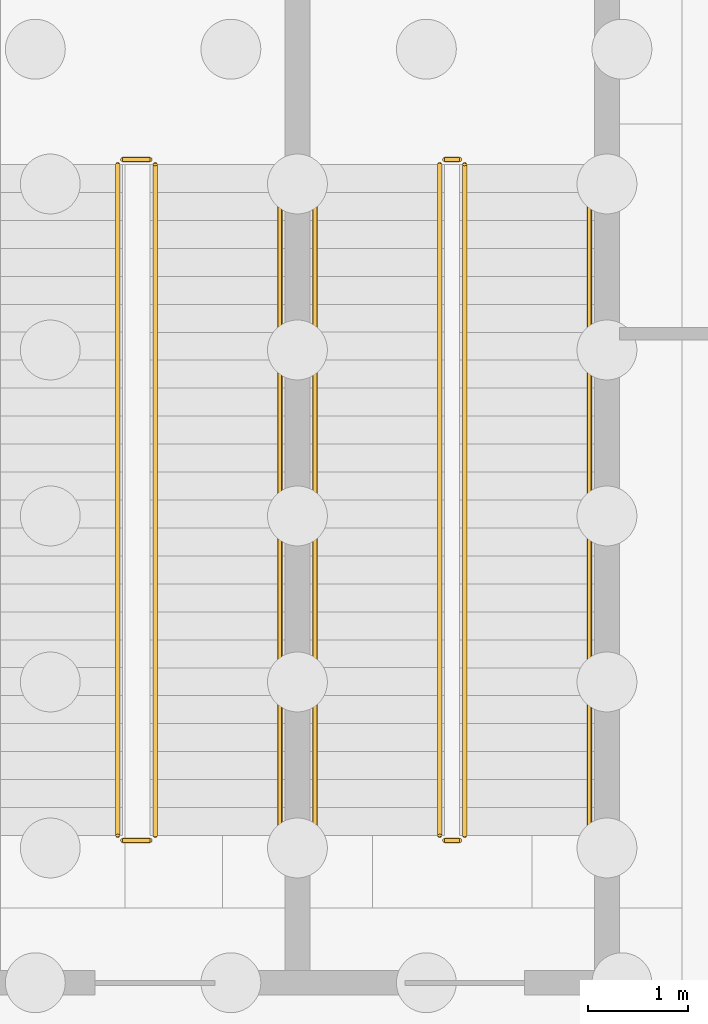
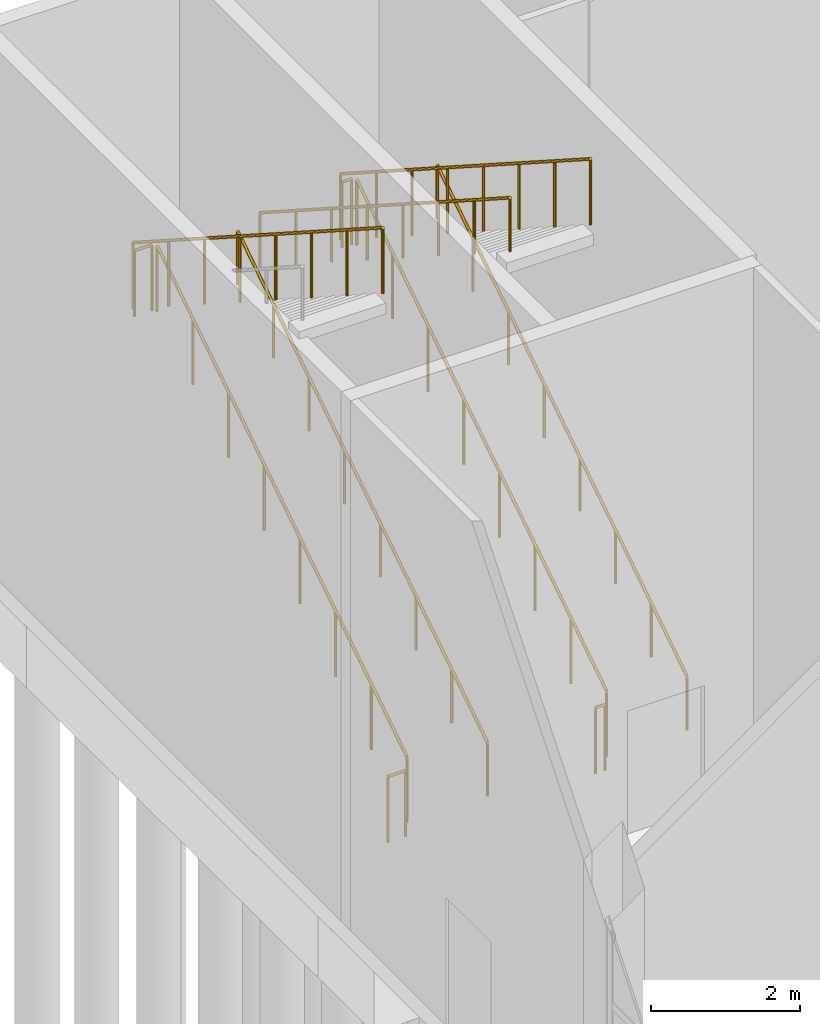
# One storey, part 65 of 72: 11 railings.
"""IFC4 building model written with IfcOpenShell, lengths in metres."""

from ifc_helpers import new_model, si_unit, direction, frame, origin, origin_2d, place, context, subcontext, project, spatial, circle, extrude, material, type_object, element, save


model = new_model("IFC4")

# Units and contexts
model_context = context("Model", 3, precision=1e-05, world=origin(), true_north=direction((0.0, 1.0)))
body_context = subcontext(model_context, "Body", "Model", "MODEL_VIEW")
ifc_project = project(units=[si_unit("LENGTHUNIT", "METRE"), si_unit("AREAUNIT", "SQUARE_METRE"), si_unit("VOLUMEUNIT", "CUBIC_METRE"), si_unit("PLANEANGLEUNIT", "RADIAN"), si_unit("MASSUNIT", "GRAM", prefix="KILO")], contexts=[model_context])

# Site, building, storey
site_placement = place(None, origin())
site = spatial("IfcSite", under=ifc_project, at=site_placement, CompositionType="ELEMENT")
building_placement = place(site_placement, origin())
building = spatial("IfcBuilding", under=site, at=building_placement, Name="Candeia Pilgrim Tower and Theatre", CompositionType="ELEMENT")
storey_placement = place(building_placement, origin())
storey = spatial("IfcBuildingStorey", under=building, at=storey_placement, Name="L00", CompositionType="ELEMENT", Elevation=0.0)

# Railings
ifc_material = material(Name="Steel S355", Category="steel")
railing_type_1 = type_object("IfcRailingType", Name="Guard 1100 steel balustrade", PredefinedType="GUARDRAIL", material=ifc_material)
railing_1_placement = place(storey_placement, frame((177.800048828125, 107.77490234375, 0.179931640625)))
element("IfcRailing", 1, at=railing_1_placement, inside=storey, type_object=railing_type_1, Name="L00 TS1 stair guard 1", PredefinedType="GUARDRAIL", context=body_context, shape_type="SweptSolid", body=[
    extrude(circle(Radius=0.02392578125, at=origin_2d()), frame((0.0, 0.0, 1.076171875), z_axis=(0.0, 0.841182446993, 0.540751413193), x_axis=(-1.0, 0.0, 0.0)), (0.0, 0.0, 1.0), 7.989013671875),
    extrude(circle(Radius=0.02099609375, at=origin_2d()), origin(), (0.0, 0.0, 1.0), 1.052001953125),
    extrude(circle(Radius=0.02099609375, at=origin_2d()), frame((0.0, 0.9599609375, 0.6171875)), (0.0, 0.0, 1.0), 1.052001953125),
    extrude(circle(Radius=0.02099609375, at=origin_2d()), frame((0.0, 1.920166015625, 1.234375)), (0.0, 0.0, 1.0), 1.052001953125),
    extrude(circle(Radius=0.02099609375, at=origin_2d()), frame((0.0, 2.880126953125, 1.8515625)), (0.0, 0.0, 1.0), 1.052001953125),
    extrude(circle(Radius=0.02099609375, at=origin_2d()), frame((0.0, 3.840087890625, 2.468505859375)), (0.0, 0.0, 1.0), 1.052001953125),
    extrude(circle(Radius=0.02099609375, at=origin_2d()), frame((0.0, 4.800048828125, 3.085693359375)), (0.0, 0.0, 1.0), 1.052001953125),
    extrude(circle(Radius=0.02099609375, at=origin_2d()), frame((0.0, 5.76025390625, 3.702880859375)), (0.0, 0.0, 1.0), 1.052001953125),
    extrude(circle(Radius=0.02099609375, at=origin_2d()), frame((0.0, 6.72021484375, 4.320068359375)), (0.0, 0.0, 1.0), 1.052001953125),
])
railing_2_placement = place(storey_placement, frame((177.75, 114.544921875, 4.5)))
element("IfcRailing", 2, at=railing_2_placement, inside=storey, type_object=railing_type_1, Name="L00 TS1 stair guard 2", PredefinedType="GUARDRAIL", context=body_context, shape_type="SweptSolid", body=[
    extrude(circle(Radius=0.02392578125, at=origin_2d()), frame((0.0, 0.0, 1.076171875), z_axis=(-1.0, 0.0, 0.0), x_axis=(0.0, -1.0, 0.0)), (0.0, 0.0, 1.0), 0.27490234375),
    extrude(circle(Radius=0.02099609375, at=origin_2d()), origin(), (0.0, 0.0, 1.0), 1.052001953125),
    extrude(circle(Radius=0.02099609375, at=origin_2d()), frame((-0.27490234375, 0.0, 0.0)), (0.0, 0.0, 1.0), 1.052001953125),
])
railing_3_placement = place(storey_placement, frame((177.425048828125, 114.4951171875, 4.679931640625)))
element("IfcRailing", 3, at=railing_3_placement, inside=storey, type_object=railing_type_1, Name="L00 TS1 stair guard 3", PredefinedType="GUARDRAIL", context=body_context, shape_type="SweptSolid", body=[
    extrude(circle(Radius=0.02392578125, at=origin_2d()), frame((0.0, 0.0, 1.076171875), z_axis=(0.0, -0.841182446993, 0.540751413193), x_axis=(1.0, 0.0, 0.0)), (0.0, 0.0, 1.0), 7.989013671875),
    extrude(circle(Radius=0.02099609375, at=origin_2d()), origin(), (0.0, 0.0, 1.0), 1.052001953125),
    extrude(circle(Radius=0.02099609375, at=origin_2d()), frame((0.0, -0.9599609375, 0.6171875)), (0.0, 0.0, 1.0), 1.052001953125),
    extrude(circle(Radius=0.02099609375, at=origin_2d()), frame((0.0, -1.920166015625, 1.234375)), (0.0, 0.0, 1.0), 1.052001953125),
    extrude(circle(Radius=0.02099609375, at=origin_2d()), frame((0.0, -2.880126953125, 1.8515625)), (0.0, 0.0, 1.0), 1.052001953125),
    extrude(circle(Radius=0.02099609375, at=origin_2d()), frame((0.0, -3.840087890625, 2.468505859375)), (0.0, 0.0, 1.0), 1.052001953125),
    extrude(circle(Radius=0.02099609375, at=origin_2d()), frame((0.0, -4.800048828125, 3.085693359375)), (0.0, 0.0, 1.0), 1.052001953125),
    extrude(circle(Radius=0.02099609375, at=origin_2d()), frame((0.0, -5.76025390625, 3.702880859375)), (0.0, 0.0, 1.0), 1.052001953125),
    extrude(circle(Radius=0.02099609375, at=origin_2d()), frame((0.0, -6.72021484375, 4.320068359375)), (0.0, 0.0, 1.0), 1.052001953125),
])
railing_4_placement = place(storey_placement, frame((177.75, 107.72509765625, 0.0)))
element("IfcRailing", 4, at=railing_4_placement, inside=storey, type_object=railing_type_1, Name="L00 TS1 stair guard 4", PredefinedType="GUARDRAIL", context=body_context, shape_type="SweptSolid", body=[
    extrude(circle(Radius=0.02392578125, at=origin_2d()), frame((0.0, 0.0, 1.076171875), z_axis=(-1.0, 0.0, 0.0), x_axis=(0.0, -1.0, 0.0)), (0.0, 0.0, 1.0), 0.27490234375),
    extrude(circle(Radius=0.02099609375, at=origin_2d()), origin(), (0.0, 0.0, 1.0), 1.052001953125),
    extrude(circle(Radius=0.02099609375, at=origin_2d()), frame((-0.27490234375, 0.0, 0.0)), (0.0, 0.0, 1.0), 1.052001953125),
])
railing_5_placement = place(storey_placement, frame((180.89990234375, 107.77490234375, 0.179931640625)))
element("IfcRailing", 5, at=railing_5_placement, inside=storey, type_object=railing_type_1, Name="L00 TS2 stair guard 1", PredefinedType="GUARDRAIL", context=body_context, shape_type="SweptSolid", body=[
    extrude(circle(Radius=0.02392578125, at=origin_2d()), frame((0.0, 0.0, 1.076171875), z_axis=(0.0, 0.841182446993, 0.540751413193), x_axis=(-1.0, 0.0, 0.0)), (0.0, 0.0, 1.0), 7.989013671875),
    extrude(circle(Radius=0.02099609375, at=origin_2d()), origin(), (0.0, 0.0, 1.0), 1.052001953125),
    extrude(circle(Radius=0.02099609375, at=origin_2d()), frame((0.0, 0.9599609375, 0.6171875)), (0.0, 0.0, 1.0), 1.052001953125),
    extrude(circle(Radius=0.02099609375, at=origin_2d()), frame((0.0, 1.920166015625, 1.234375)), (0.0, 0.0, 1.0), 1.052001953125),
    extrude(circle(Radius=0.02099609375, at=origin_2d()), frame((0.0, 2.880126953125, 1.8515625)), (0.0, 0.0, 1.0), 1.052001953125),
    extrude(circle(Radius=0.02099609375, at=origin_2d()), frame((0.0, 3.840087890625, 2.468505859375)), (0.0, 0.0, 1.0), 1.052001953125),
    extrude(circle(Radius=0.02099609375, at=origin_2d()), frame((0.0, 4.800048828125, 3.085693359375)), (0.0, 0.0, 1.0), 1.052001953125),
    extrude(circle(Radius=0.02099609375, at=origin_2d()), frame((0.0, 5.76025390625, 3.702880859375)), (0.0, 0.0, 1.0), 1.052001953125),
    extrude(circle(Radius=0.02099609375, at=origin_2d()), frame((0.0, 6.72021484375, 4.320068359375)), (0.0, 0.0, 1.0), 1.052001953125),
])
railing_6_placement = place(storey_placement, frame((180.85009765625, 114.544921875, 4.5)))
element("IfcRailing", 6, at=railing_6_placement, inside=storey, type_object=railing_type_1, Name="L00 TS2 stair guard 2", PredefinedType="GUARDRAIL", context=body_context, shape_type="SweptSolid", body=[
    extrude(circle(Radius=0.02392578125, at=origin_2d()), frame((0.0, 0.0, 1.076171875), z_axis=(-1.0, 0.0, 0.0), x_axis=(0.0, -1.0, 0.0)), (0.0, 0.0, 1.0), 0.150146484375),
    extrude(circle(Radius=0.02099609375, at=origin_2d()), origin(), (0.0, 0.0, 1.0), 1.052001953125),
    extrude(circle(Radius=0.02099609375, at=origin_2d()), frame((-0.150146484375, 0.0, 0.0)), (0.0, 0.0, 1.0), 1.052001953125),
])
railing_7_placement = place(storey_placement, frame((180.64990234375, 114.4951171875, 4.679931640625)))
element("IfcRailing", 7, at=railing_7_placement, inside=storey, type_object=railing_type_1, Name="L00 TS2 stair guard 3", PredefinedType="GUARDRAIL", context=body_context, shape_type="SweptSolid", body=[
    extrude(circle(Radius=0.02392578125, at=origin_2d()), frame((0.0, 0.0, 1.076171875), z_axis=(0.0, -0.841182446993, 0.540751413193), x_axis=(1.0, 0.0, 0.0)), (0.0, 0.0, 1.0), 7.989013671875),
    extrude(circle(Radius=0.02099609375, at=origin_2d()), origin(), (0.0, 0.0, 1.0), 1.052001953125),
    extrude(circle(Radius=0.02099609375, at=origin_2d()), frame((0.0, -0.9599609375, 0.6171875)), (0.0, 0.0, 1.0), 1.052001953125),
    extrude(circle(Radius=0.02099609375, at=origin_2d()), frame((0.0, -1.920166015625, 1.234375)), (0.0, 0.0, 1.0), 1.052001953125),
    extrude(circle(Radius=0.02099609375, at=origin_2d()), frame((0.0, -2.880126953125, 1.8515625)), (0.0, 0.0, 1.0), 1.052001953125),
    extrude(circle(Radius=0.02099609375, at=origin_2d()), frame((0.0, -3.840087890625, 2.468505859375)), (0.0, 0.0, 1.0), 1.052001953125),
    extrude(circle(Radius=0.02099609375, at=origin_2d()), frame((0.0, -4.800048828125, 3.085693359375)), (0.0, 0.0, 1.0), 1.052001953125),
    extrude(circle(Radius=0.02099609375, at=origin_2d()), frame((0.0, -5.76025390625, 3.702880859375)), (0.0, 0.0, 1.0), 1.052001953125),
    extrude(circle(Radius=0.02099609375, at=origin_2d()), frame((0.0, -6.72021484375, 4.320068359375)), (0.0, 0.0, 1.0), 1.052001953125),
])
railing_8_placement = place(storey_placement, frame((180.85009765625, 107.72509765625, 0.0)))
element("IfcRailing", 8, at=railing_8_placement, inside=storey, type_object=railing_type_1, Name="L00 TS2 stair guard 4", PredefinedType="GUARDRAIL", context=body_context, shape_type="SweptSolid", body=[
    extrude(circle(Radius=0.02392578125, at=origin_2d()), frame((0.0, 0.0, 1.076171875), z_axis=(-1.0, 0.0, 0.0), x_axis=(0.0, -1.0, 0.0)), (0.0, 0.0, 1.0), 0.150146484375),
    extrude(circle(Radius=0.02099609375, at=origin_2d()), origin(), (0.0, 0.0, 1.0), 1.052001953125),
    extrude(circle(Radius=0.02099609375, at=origin_2d()), frame((-0.150146484375, 0.0, 0.0)), (0.0, 0.0, 1.0), 1.052001953125),
])
railing_type_2 = type_object("IfcRailingType", Name="Handrail 900 steel", PredefinedType="HANDRAIL", material=ifc_material)
for number, where, name in (
    (9, (179.050048828125, 107.77490234375, 0.179931640625), "L00 TS1 stair handrail 1"),
    (10, (182.14990234375, 107.77490234375, 0.179931640625), "L00 TS2 stair handrail 1"),
):
    element("IfcRailing", number, at=place(storey_placement, frame(where)), inside=storey, type_object=railing_type_2, Name=name, PredefinedType="HANDRAIL", context=body_context, shape_type="SweptSolid", body=[
        extrude(circle(Radius=0.02392578125, at=origin_2d()), frame((0.0, 0.0, 0.8759765625), z_axis=(0.0, 0.841182446993, 0.540751413193), x_axis=(-1.0, 0.0, 0.0)), (0.0, 0.0, 1.0), 7.989013671875),
        extrude(circle(Radius=0.02099609375, at=origin_2d()), origin(), (0.0, 0.0, 1.0), 0.851806640625),
        extrude(circle(Radius=0.02099609375, at=origin_2d()), frame((0.0, 0.9599609375, 0.6171875)), (0.0, 0.0, 1.0), 0.851806640625),
        extrude(circle(Radius=0.02099609375, at=origin_2d()), frame((0.0, 1.920166015625, 1.234375)), (0.0, 0.0, 1.0), 0.851806640625),
        extrude(circle(Radius=0.02099609375, at=origin_2d()), frame((0.0, 2.880126953125, 1.8515625)), (0.0, 0.0, 1.0), 0.851806640625),
        extrude(circle(Radius=0.02099609375, at=origin_2d()), frame((0.0, 3.840087890625, 2.468505859375)), (0.0, 0.0, 1.0), 0.851806640625),
        extrude(circle(Radius=0.02099609375, at=origin_2d()), frame((0.0, 4.800048828125, 3.085693359375)), (0.0, 0.0, 1.0), 0.851806640625),
        extrude(circle(Radius=0.02099609375, at=origin_2d()), frame((0.0, 5.76025390625, 3.702880859375)), (0.0, 0.0, 1.0), 0.851806640625),
        extrude(circle(Radius=0.02099609375, at=origin_2d()), frame((0.0, 6.72021484375, 4.320068359375)), (0.0, 0.0, 1.0), 0.851806640625),
    ])
railing_9_placement = place(storey_placement, frame((179.39990234375, 114.4951171875, 4.679931640625)))
element("IfcRailing", 11, at=railing_9_placement, inside=storey, type_object=railing_type_2, Name="L00 TS2 stair handrail 2", PredefinedType="HANDRAIL", context=body_context, shape_type="SweptSolid", body=[
    extrude(circle(Radius=0.02392578125, at=origin_2d()), frame((0.0, 0.0, 0.8759765625), z_axis=(0.0, -0.841182446993, 0.540751413193), x_axis=(1.0, 0.0, 0.0)), (0.0, 0.0, 1.0), 7.989013671875),
    extrude(circle(Radius=0.02099609375, at=origin_2d()), origin(), (0.0, 0.0, 1.0), 0.851806640625),
    extrude(circle(Radius=0.02099609375, at=origin_2d()), frame((0.0, -0.9599609375, 0.6171875)), (0.0, 0.0, 1.0), 0.851806640625),
    extrude(circle(Radius=0.02099609375, at=origin_2d()), frame((0.0, -1.920166015625, 1.234375)), (0.0, 0.0, 1.0), 0.851806640625),
    extrude(circle(Radius=0.02099609375, at=origin_2d()), frame((0.0, -2.880126953125, 1.8515625)), (0.0, 0.0, 1.0), 0.851806640625),
    extrude(circle(Radius=0.02099609375, at=origin_2d()), frame((0.0, -3.840087890625, 2.468505859375)), (0.0, 0.0, 1.0), 0.851806640625),
    extrude(circle(Radius=0.02099609375, at=origin_2d()), frame((0.0, -4.800048828125, 3.085693359375)), (0.0, 0.0, 1.0), 0.851806640625),
    extrude(circle(Radius=0.02099609375, at=origin_2d()), frame((0.0, -5.76025390625, 3.702880859375)), (0.0, 0.0, 1.0), 0.851806640625),
    extrude(circle(Radius=0.02099609375, at=origin_2d()), frame((0.0, -6.72021484375, 4.320068359375)), (0.0, 0.0, 1.0), 0.851806640625),
])

save(model, "model.ifc")
